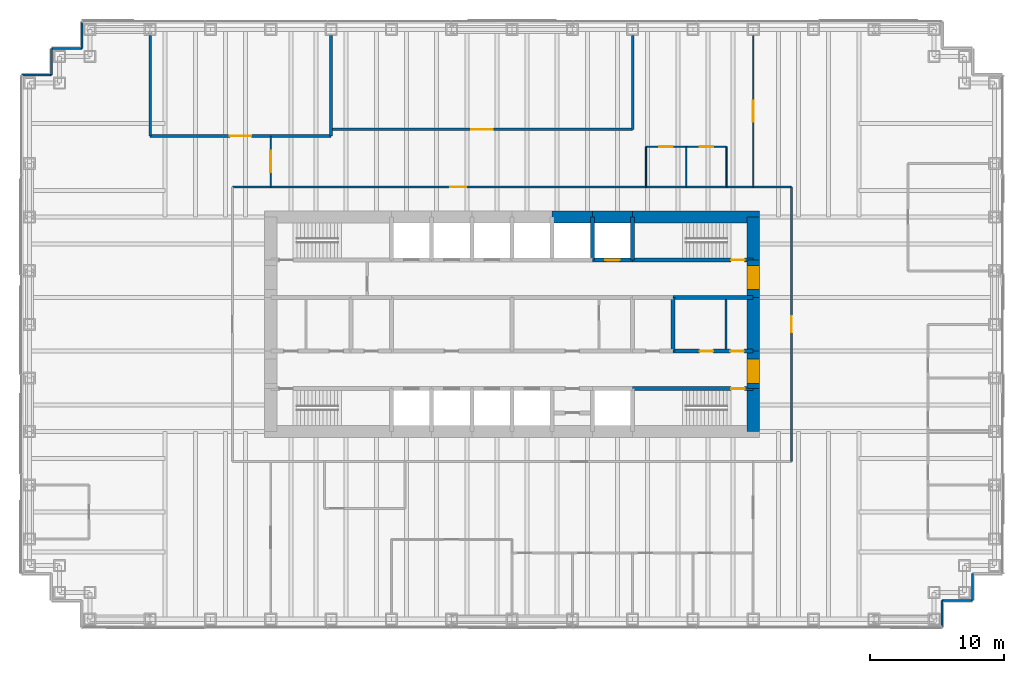
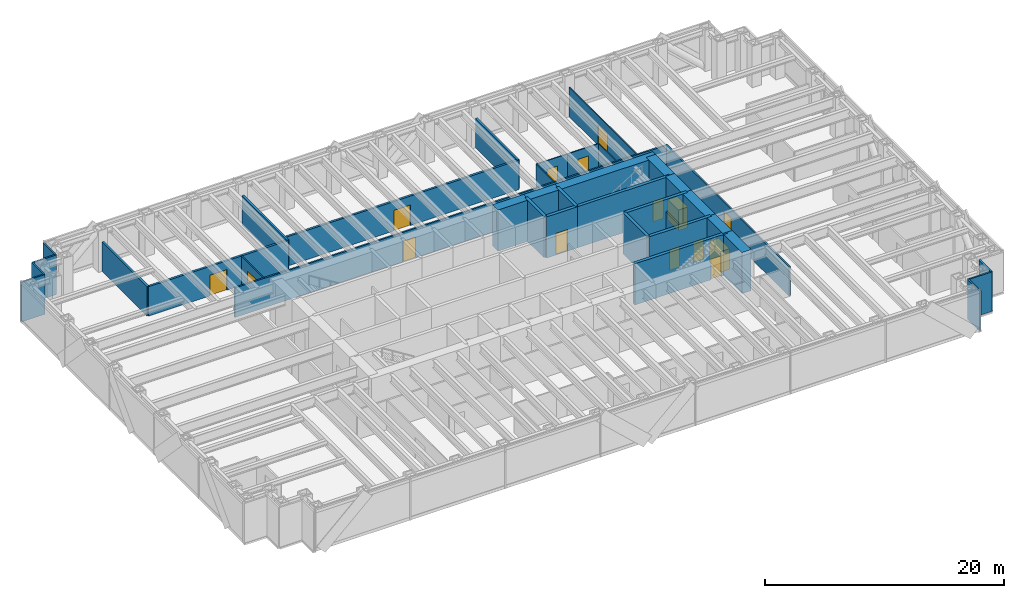
# One storey, part 13 of 15: 37 walls, 15 doors, 15 openings.
"""IFC4 building model written with IfcOpenShell, lengths in metres."""

from ifc_helpers import new_model, si_unit, direction, frame, frame_2d, origin, place, context, subcontext, project, spatial, rectangle, extrude, material, layer, layer_set, type_object, element, fill, save


model = new_model("IFC4")

# Units and contexts
model_context = context("Model", 3, precision=1e-05, world=origin(), true_north=direction((0.0, 1.0)))
body_context = subcontext(model_context, "Body", "Model", "MODEL_VIEW")
ifc_project = project(units=[si_unit("LENGTHUNIT", "METRE"), si_unit("AREAUNIT", "SQUARE_METRE"), si_unit("VOLUMEUNIT", "CUBIC_METRE"), si_unit("PLANEANGLEUNIT", "RADIAN"), si_unit("MASSUNIT", "GRAM", prefix="KILO")], contexts=[model_context])

# Site, building, storey
site_placement = place(None, origin())
site = spatial("IfcSite", under=ifc_project, at=site_placement, CompositionType="ELEMENT")
building_placement = place(site_placement, origin())
building = spatial("IfcBuilding", under=site, at=building_placement, Name="Rheinbord Bourse Tower", CompositionType="ELEMENT")
storey_placement = place(building_placement, frame((0.0, 0.0, 125.699951171875)))
storey = spatial("IfcBuildingStorey", under=building, at=storey_placement, Name="L27", CompositionType="ELEMENT", Elevation=125.699951171875)

# Wall, opening, door
ifc_material_1 = material(Name="Acoustic gypsum board partition", Category="gypsum board")
ifc_layer_1 = layer(ifc_material_1, 0.199951171875)
ifc_layer_set_1 = layer_set([ifc_layer_1], Name="ACOUSTIC PARTITION 200")
wall_type_1 = type_object("IfcWallType", Name="ACOUSTIC PARTITION 200", PredefinedType="PARTITIONING", material=ifc_layer_set_1)
wall_1_placement = place(storey_placement, frame((9.0, 38.050048828125, 0.0), z_axis=(0.0, 0.0, 1.0), x_axis=(1.0, 0.0, 0.0)))
wall_1 = element("IfcWall", 1, at=wall_1_placement, inside=storey, type_object=wall_type_1, Name="Partition L27-18", PredefinedType="PARTITIONING", context=body_context, shape_type="SweptSolid", body=[
    extrude(rectangle(XDim=13.5, YDim=0.199951171875, at=frame_2d((6.75, 0.0))), origin(), (0.0, 0.0, 1.0), 3.0),
])
opening_1_placement = place(wall_1_placement, frame((5.949951171875, 0.0, 0.0)))
opening_1 = element("IfcOpeningElement", 2, at=opening_1_placement, cuts=wall_1, Name="Opening 27D15", PredefinedType="OPENING", context=body_context, shape_type="SweptSolid", body=[
    extrude(rectangle(XDim=1.60009765625, YDim=2.10009765625, at=frame_2d((0.800048828125, 1.050048828125))), frame((0.0, 0.10986328125, 0.0), z_axis=(0.0, -1.0, 0.0), x_axis=(1.0, 0.0, 0.0)), (0.0, 0.0, 1.0), 0.219970703125),
])
ifc_material_2 = material(Name="Timber door", Category="wood")
door_type_1 = type_object("IfcDoorType", Name="DOUBLE ROOM DOOR 1600", OperationType="DOUBLE_DOOR_DOUBLE_SWING", PredefinedType="DOOR", material=ifc_material_2)
door_1_placement = place(opening_1_placement, origin())
door_1 = element("IfcDoor", 3, at=door_1_placement, inside=storey, type_object=door_type_1, Name="Index committee room door L27", OperationType="SINGLE_SWING_LEFT", OverallHeight=2.10009765625, OverallWidth=1.60009765625, PredefinedType="DOOR", context=body_context, shape_type="SweptSolid", body=[
    extrude(rectangle(XDim=1.60009765625, YDim=2.10009765625, at=frame_2d((0.800048828125, 1.050048828125))), frame((0.0, 0.02490234375, 0.0), z_axis=(0.0, -1.0, 0.0), x_axis=(1.0, 0.0, 0.0)), (0.0, 0.0, 1.0), 0.050048828125),
])
fill(opening_1, door_1)

wall_2_placement = place(storey_placement, frame((22.5, 38.550048828125, 0.0), z_axis=(0.0, 0.0, 1.0), x_axis=(1.0, 0.0, 0.0)))
wall_2 = element("IfcWall", 4, at=wall_2_placement, inside=storey, type_object=wall_type_1, Name="Partition L27-19", PredefinedType="PARTITIONING", context=body_context, shape_type="SweptSolid", body=[
    extrude(rectangle(XDim=22.5, YDim=0.199951171875, at=frame_2d((11.25, 0.0))), origin(), (0.0, 0.0, 1.0), 3.0),
])
opening_2_placement = place(wall_2_placement, frame((10.449951171875, 0.0, 0.0)))
opening_2 = element("IfcOpeningElement", 5, at=opening_2_placement, cuts=wall_2, Name="Opening 27D16", PredefinedType="OPENING", context=body_context, shape_type="SweptSolid", body=[
    extrude(rectangle(XDim=1.60009765625, YDim=2.10009765625, at=frame_2d((0.800048828125, 1.050048828125))), frame((0.0, 0.10986328125, 0.0), z_axis=(0.0, -1.0, 0.0), x_axis=(1.0, 0.0, 0.0)), (0.0, 0.0, 1.0), 0.219970703125),
])
door_2_placement = place(opening_2_placement, origin())
door_2 = element("IfcDoor", 6, at=door_2_placement, inside=storey, type_object=door_type_1, Name="Data operations room door L27", OperationType="SINGLE_SWING_LEFT", OverallHeight=2.10009765625, OverallWidth=1.60009765625, PredefinedType="DOOR", context=body_context, shape_type="SweptSolid", body=[
    extrude(rectangle(XDim=1.60009765625, YDim=2.10009765625, at=frame_2d((0.800048828125, 1.050048828125))), frame((0.0, 0.02490234375, 0.0), z_axis=(0.0, -1.0, 0.0), x_axis=(1.0, 0.0, 0.0)), (0.0, 0.0, 1.0), 0.050048828125),
])
fill(opening_2, door_2)

# Walls
for number, where, z_axis, x_axis, name in (
    (7, (9.0, 38.050048828125, 0.0), (0.0, 0.0, 1.0), (0.0, 1.0, 0.0), "Partition L27-21"),
    (8, (22.5, 38.050048828125, 0.0), (0.0, 0.0, 1.0), (0.0, 1.0, 0.0), "Partition L27-26"),
):
    element("IfcWall", number, at=place(storey_placement, frame(where, z_axis=z_axis, x_axis=x_axis)), inside=storey, type_object=wall_type_1, Name=name, PredefinedType="PARTITIONING", context=body_context, shape_type="SweptSolid", body=[
        extrude(rectangle(XDim=7.5, YDim=0.199951171875, at=frame_2d((3.75, 0.0))), origin(), (0.0, 0.0, 1.0), 3.0),
    ])
wall_3_placement = place(storey_placement, frame((45.0, 38.550048828125, 0.0), z_axis=(0.0, 0.0, 1.0), x_axis=(0.0, 1.0, 0.0)))
element("IfcWall", 9, at=wall_3_placement, inside=storey, type_object=wall_type_1, Name="Partition L27-33", PredefinedType="PARTITIONING", context=body_context, shape_type="SweptSolid", body=[
    extrude(rectangle(XDim=7.0, YDim=0.199951171875, at=frame_2d((3.5, 0.0))), origin(), (0.0, 0.0, 1.0), 3.0),
])

# Wall, opening, door
ifc_material_3 = material(Name="Concrete C50/60", Category="concrete")
ifc_layer_2 = layer(ifc_material_3, 0.300048828125)
ifc_layer_set_2 = layer_set([ifc_layer_2], Name="CORE INNER WALL 300")
wall_type_2 = type_object("IfcWallType", Name="CORE INNER WALL 300", PredefinedType="SOLIDWALL", material=ifc_layer_set_2)
wall_4_placement = place(storey_placement, frame((45.0, 19.199951171875, 0.0), z_axis=(0.0, 0.0, 1.0), x_axis=(1.0, 0.0, 0.0)))
wall_4 = element("IfcWall", 10, at=wall_4_placement, inside=storey, type_object=wall_type_2, Name="Core wall A8 L27", PredefinedType="SOLIDWALL", context=body_context, shape_type="SweptSolid", body=[
    extrude(rectangle(XDim=9.0, YDim=0.300048828125, at=frame_2d((4.5, 0.0))), origin(), (0.0, 0.0, 1.0), 4.199951171875),
])
opening_3_placement = place(wall_4_placement, frame((7.35009765625, 0.0, 0.0)))
opening_3 = element("IfcOpeningElement", 11, at=opening_3_placement, cuts=wall_4, Name="Opening 2730", PredefinedType="OPENING", context=body_context, shape_type="SweptSolid", body=[
    extrude(rectangle(XDim=1.0, YDim=2.10009765625, at=frame_2d((0.5, 1.050048828125))), frame((0.0, 0.159912109375, 0.0), z_axis=(0.0, -1.0, 0.0), x_axis=(1.0, 0.0, 0.0)), (0.0, 0.0, 1.0), 0.320068359375),
])
ifc_material_4 = material(Name="Steel door", Category="steel")
door_type_2 = type_object("IfcDoorType", Name="DOOR 1000 EI30", OperationType="SINGLE_SWING_LEFT", PredefinedType="DOOR", material=ifc_material_4)
door_3_placement = place(opening_3_placement, origin())
door_3 = element("IfcDoor", 12, at=door_3_placement, inside=storey, type_object=door_type_2, Name="Stair door ST3 L27", OperationType="SINGLE_SWING_RIGHT", OverallHeight=2.10009765625, OverallWidth=1.0, PredefinedType="DOOR", context=body_context, shape_type="SweptSolid", body=[
    extrude(rectangle(XDim=1.0, YDim=2.10009765625, at=frame_2d((0.5, 1.050048828125))), frame((0.0, 0.02490234375, 0.0), z_axis=(0.0, -1.0, 0.0), x_axis=(1.0, 0.0, 0.0)), (0.0, 0.0, 1.0), 0.050048828125),
])
fill(opening_3, door_3)

wall_5_placement = place(storey_placement, frame((42.0, 28.800048828125, 0.0), z_axis=(0.0, 0.0, 1.0), x_axis=(1.0, 0.0, 0.0)))
wall_5 = element("IfcWall", 13, at=wall_5_placement, inside=storey, type_object=wall_type_2, Name="Core wall B7 L27", PredefinedType="SOLIDWALL", context=body_context, shape_type="SweptSolid", body=[
    extrude(rectangle(XDim=3.0, YDim=0.300048828125, at=frame_2d((1.5, 0.0))), origin(), (0.0, 0.0, 1.0), 4.199951171875),
])
opening_4_placement = place(wall_5_placement, frame((0.949951171875, 0.0, 0.0)))
opening_4 = element("IfcOpeningElement", 14, at=opening_4_placement, cuts=wall_5, Name="Opening FL2", PredefinedType="OPENING", context=body_context, shape_type="SweptSolid", body=[
    extrude(rectangle(XDim=1.10009765625, YDim=2.199951171875, at=frame_2d((0.550048828125, 1.10009765625))), frame((0.0, 0.159912109375, 0.0), z_axis=(0.0, -1.0, 0.0), x_axis=(1.0, 0.0, 0.0)), (0.0, 0.0, 1.0), 0.320068359375),
])
ifc_material_5 = material(Name="Steel landing door", Category="steel")
door_type_3 = type_object("IfcDoorType", Name="LIFT LANDING DOOR 1100", OperationType="DOUBLE_DOOR_SLIDING", PredefinedType="USERDEFINED", material=ifc_material_5)
door_4_placement = place(opening_4_placement, origin())
door_4 = element("IfcDoor", 15, at=door_4_placement, inside=storey, type_object=door_type_3, Name="Lift landing door FL2 L27", ObjectType="LIFT LANDING DOOR", OperationType="DOUBLE_DOOR_SLIDING", OverallHeight=2.199951171875, OverallWidth=1.10009765625, PredefinedType="USERDEFINED", context=body_context, shape_type="SweptSolid", body=[
    extrude(rectangle(XDim=1.10009765625, YDim=2.199951171875, at=frame_2d((0.550048828125, 1.10009765625))), frame((0.0, 0.02490234375, 0.0), z_axis=(0.0, -1.0, 0.0), x_axis=(1.0, 0.0, 0.0)), (0.0, 0.0, 1.0), 0.050048828125),
])
fill(opening_4, door_4)

wall_6_placement = place(storey_placement, frame((45.0, 28.800048828125, 0.0), z_axis=(0.0, 0.0, 1.0), x_axis=(1.0, 0.0, 0.0)))
wall_6 = element("IfcWall", 16, at=wall_6_placement, inside=storey, type_object=wall_type_2, Name="Core wall B8 L27", PredefinedType="SOLIDWALL", context=body_context, shape_type="SweptSolid", body=[
    extrude(rectangle(XDim=9.0, YDim=0.300048828125, at=frame_2d((4.5, 0.0))), origin(), (0.0, 0.0, 1.0), 4.199951171875),
])
opening_5_placement = place(wall_6_placement, frame((7.35009765625, 0.0, 0.0)))
opening_5 = element("IfcOpeningElement", 17, at=opening_5_placement, cuts=wall_6, Name="Opening 2740", PredefinedType="OPENING", context=body_context, shape_type="SweptSolid", body=[
    extrude(rectangle(XDim=1.0, YDim=2.10009765625, at=frame_2d((0.5, 1.050048828125))), frame((0.0, 0.159912109375, 0.0), z_axis=(0.0, -1.0, 0.0), x_axis=(1.0, 0.0, 0.0)), (0.0, 0.0, 1.0), 0.320068359375),
])
door_5_placement = place(opening_5_placement, origin())
door_5 = element("IfcDoor", 18, at=door_5_placement, inside=storey, type_object=door_type_2, Name="Stair door ST4 L27", OperationType="SINGLE_SWING_RIGHT", OverallHeight=2.10009765625, OverallWidth=1.0, PredefinedType="DOOR", context=body_context, shape_type="SweptSolid", body=[
    extrude(rectangle(XDim=1.0, YDim=2.10009765625, at=frame_2d((0.5, 1.050048828125))), frame((0.0, 0.02490234375, 0.0), z_axis=(0.0, -1.0, 0.0), x_axis=(1.0, 0.0, 0.0)), (0.0, 0.0, 1.0), 0.050048828125),
])
fill(opening_5, door_5)

# Wall, openings, doors
wall_7_placement = place(storey_placement, frame((48.0, 22.0, 0.0), z_axis=(0.0, 0.0, 1.0), x_axis=(1.0, 0.0, 0.0)))
wall_7 = element("IfcWall", 19, at=wall_7_placement, inside=storey, type_object=wall_type_2, Name="Core wall C6 L27", PredefinedType="SOLIDWALL", context=body_context, shape_type="SweptSolid", body=[
    extrude(rectangle(XDim=6.0, YDim=0.300048828125, at=frame_2d((3.0, 0.0))), origin(), (0.0, 0.0, 1.0), 4.199951171875),
])
opening_6_placement = place(wall_7_placement, frame((2.0, 0.0, 0.0)))
opening_6 = element("IfcOpeningElement", 20, at=opening_6_placement, cuts=wall_7, Name="Opening 27R6", PredefinedType="OPENING", context=body_context, shape_type="SweptSolid", body=[
    extrude(rectangle(XDim=1.0, YDim=2.10009765625, at=frame_2d((0.5, 1.050048828125))), frame((0.0, 0.159912109375, 0.0), z_axis=(0.0, -1.0, 0.0), x_axis=(1.0, 0.0, 0.0)), (0.0, 0.0, 1.0), 0.320068359375),
])
opening_7_placement = place(wall_7_placement, frame((4.300048828125, 0.0, 0.0)))
opening_7 = element("IfcOpeningElement", 21, at=opening_7_placement, cuts=wall_7, Name="Opening 27R10", PredefinedType="OPENING", context=body_context, shape_type="SweptSolid", body=[
    extrude(rectangle(XDim=1.0, YDim=2.10009765625, at=frame_2d((0.5, 1.050048828125))), frame((0.0, 0.159912109375, 0.0), z_axis=(0.0, -1.0, 0.0), x_axis=(1.0, 0.0, 0.0)), (0.0, 0.0, 1.0), 0.320068359375),
])
door_6_placement = place(opening_7_placement, origin())
door_6 = element("IfcDoor", 22, at=door_6_placement, inside=storey, type_object=door_type_2, Name="Cleaner's store door L27", OperationType="SINGLE_SWING_RIGHT", OverallHeight=2.10009765625, OverallWidth=1.0, PredefinedType="DOOR", context=body_context, shape_type="SweptSolid", body=[
    extrude(rectangle(XDim=1.0, YDim=2.10009765625, at=frame_2d((0.5, 1.050048828125))), frame((0.0, 0.02490234375, 0.0), z_axis=(0.0, -1.0, 0.0), x_axis=(1.0, 0.0, 0.0)), (0.0, 0.0, 1.0), 0.050048828125),
])
fill(opening_7, door_6)
ifc_material_6 = material(Name="Timber door", Category="wood")
door_type_4 = type_object("IfcDoorType", Name="DOOR 1000 WC", OperationType="SINGLE_SWING_LEFT", PredefinedType="DOOR", material=ifc_material_6)
door_7_placement = place(opening_6_placement, origin())
door_7 = element("IfcDoor", 23, at=door_7_placement, inside=storey, type_object=door_type_4, Name="WC women door L27", OperationType="SINGLE_SWING_LEFT", OverallHeight=2.10009765625, OverallWidth=1.0, PredefinedType="DOOR", context=body_context, shape_type="SweptSolid", body=[
    extrude(rectangle(XDim=1.0, YDim=2.10009765625, at=frame_2d((0.5, 1.050048828125))), frame((0.0, 0.02490234375, 0.0), z_axis=(0.0, -1.0, 0.0), x_axis=(1.0, 0.0, 0.0)), (0.0, 0.0, 1.0), 0.050048828125),
])
fill(opening_6, door_7)

# Walls
wall_8_placement = place(storey_placement, frame((48.0, 26.0, 0.0), z_axis=(0.0, 0.0, 1.0), x_axis=(1.0, 0.0, 0.0)))
element("IfcWall", 24, at=wall_8_placement, inside=storey, type_object=wall_type_2, Name="Core wall D6 L27", PredefinedType="SOLIDWALL", context=body_context, shape_type="SweptSolid", body=[
    extrude(rectangle(XDim=6.0, YDim=0.300048828125, at=frame_2d((3.0, 0.0))), origin(), (0.0, 0.0, 1.0), 4.199951171875),
])
for number, where, z_axis, x_axis, name in (
    (25, (42.0, 28.800048828125, 0.0), (0.0, 0.0, 1.0), (0.0, 1.0, 0.0), "Core wall NX42 L27"),
    (26, (45.0, 28.800048828125, 0.0), (0.0, 0.0, 1.0), (0.0, 1.0, 0.0), "Core wall NX45 L27"),
):
    element("IfcWall", number, at=place(storey_placement, frame(where, z_axis=z_axis, x_axis=x_axis)), inside=storey, type_object=wall_type_2, Name=name, PredefinedType="SOLIDWALL", context=body_context, shape_type="SweptSolid", body=[
        extrude(rectangle(XDim=3.199951171875, YDim=0.300048828125, at=frame_2d((1.60009765625, 0.0))), origin(), (0.0, 0.0, 1.0), 4.199951171875),
    ])
wall_9_placement = place(storey_placement, frame((48.0, 22.0, 0.0), z_axis=(0.0, 0.0, 1.0), x_axis=(0.0, 1.0, 0.0)))
element("IfcWall", 27, at=wall_9_placement, inside=storey, type_object=wall_type_2, Name="Core wall MX48 L27", PredefinedType="SOLIDWALL", context=body_context, shape_type="SweptSolid", body=[
    extrude(rectangle(XDim=4.0, YDim=0.300048828125, at=frame_2d((2.0, 0.0))), origin(), (0.0, 0.0, 1.0), 4.199951171875),
])
ifc_material_7 = material(Name="Gypsum board fire partition", Category="gypsum board")
ifc_layer_3 = layer(ifc_material_7, 0.14990234375)
ifc_layer_set_3 = layer_set([ifc_layer_3], Name="CORE PARTITION 150 EI30")
wall_type_3 = type_object("IfcWallType", Name="CORE PARTITION 150 EI30", PredefinedType="PARTITIONING", material=ifc_layer_set_3)
wall_10_placement = place(storey_placement, frame((51.97509765625, 22.14990234375, 0.0), z_axis=(0.0, 0.0, 1.0), x_axis=(0.0, 1.0, 0.0)))
element("IfcWall", 28, at=wall_10_placement, inside=storey, type_object=wall_type_3, Name="Core partition L27-3", PredefinedType="PARTITIONING", context=body_context, shape_type="SweptSolid", body=[
    extrude(rectangle(XDim=3.7001953125, YDim=0.14990234375, at=frame_2d((1.85009765625, 0.0))), origin(), (0.0, 0.0, 1.0), 3.0),
])
ifc_material_8 = material(Name="Concrete C50/60", Category="concrete")
ifc_layer_4 = layer(ifc_material_8, 0.89990234375)
ifc_layer_set_4 = layer_set([ifc_layer_4], Name="CORE WALL 900")
wall_type_4 = type_object("IfcWallType", Name="CORE WALL 900", PredefinedType="SHEAR", material=ifc_layer_set_4)
wall_11_placement = place(storey_placement, frame((54.449951171875, 32.0, 0.0), z_axis=(0.0, 0.0, 1.0), x_axis=(-1.0, 0.0, 0.0)))
element("IfcWall", 29, at=wall_11_placement, inside=storey, type_object=wall_type_4, Name="Core wall N1 L27", PredefinedType="SHEAR", context=body_context, shape_type="SweptSolid", body=[
    extrude(rectangle(XDim=9.449951171875, YDim=0.89990234375, at=frame_2d((4.72509765625, 0.0))), origin(), (0.0, 0.0, 1.0), 4.199951171875),
])
for number, where, z_axis, x_axis, name in (
    (30, (45.0, 32.0, 0.0), (0.0, 0.0, 1.0), (-1.0, 0.0, 0.0), "Core wall N2 L27"),
    (31, (42.0, 32.0, 0.0), (0.0, 0.0, 1.0), (-1.0, 0.0, 0.0), "Core wall N3 L27"),
):
    element("IfcWall", number, at=place(storey_placement, frame(where, z_axis=z_axis, x_axis=x_axis)), inside=storey, type_object=wall_type_4, Name=name, PredefinedType="SHEAR", context=body_context, shape_type="SweptSolid", body=[
        extrude(rectangle(XDim=3.0, YDim=0.89990234375, at=frame_2d((1.5, 0.0))), origin(), (0.0, 0.0, 1.0), 4.199951171875),
    ])
wall_12_placement = place(storey_placement, frame((54.0, 16.0, 0.0), z_axis=(0.0, 0.0, 1.0), x_axis=(0.0, 1.0, 0.0)))
element("IfcWall", 32, at=wall_12_placement, inside=storey, type_object=wall_type_4, Name="Core wall E1 L27", PredefinedType="SHEAR", context=body_context, shape_type="SweptSolid", body=[
    extrude(rectangle(XDim=3.199951171875, YDim=0.89990234375, at=frame_2d((1.60009765625, 0.0))), origin(), (0.0, 0.0, 1.0), 4.199951171875),
])

# Wall, opening, door
wall_13_placement = place(storey_placement, frame((54.0, 19.199951171875, 0.0), z_axis=(0.0, 0.0, 1.0), x_axis=(0.0, 1.0, 0.0)))
wall_13 = element("IfcWall", 33, at=wall_13_placement, inside=storey, type_object=wall_type_4, Name="Core wall E2 L27", PredefinedType="SHEAR", context=body_context, shape_type="SweptSolid", body=[
    extrude(rectangle(XDim=2.800048828125, YDim=0.89990234375, at=frame_2d((1.39990234375, 0.0))), origin(), (0.0, 0.0, 1.0), 4.199951171875),
])
opening_8_placement = place(wall_13_placement, frame((0.39990234375, 0.0, 0.0)))
opening_8 = element("IfcOpeningElement", 34, at=opening_8_placement, cuts=wall_13, Name="Opening 27L3", PredefinedType="OPENING", context=body_context, shape_type="SweptSolid", body=[
    extrude(rectangle(XDim=1.800048828125, YDim=2.10009765625, at=frame_2d((0.89990234375, 1.050048828125))), frame((0.0, 0.4599609375, 0.0), z_axis=(0.0, -1.0, 0.0), x_axis=(1.0, 0.0, 0.0)), (0.0, 0.0, 1.0), 0.919921875),
])
ifc_material_9 = material(Name="Steel door", Category="steel")
door_type_5 = type_object("IfcDoorType", Name="DOOR 1800 EI30 DOUBLE", OperationType="DOUBLE_DOOR_DOUBLE_SWING", PredefinedType="DOOR", material=ifc_material_9)
door_8_placement = place(opening_8_placement, origin())
door_8 = element("IfcDoor", 35, at=door_8_placement, inside=storey, type_object=door_type_5, Name="Lobby door 3 L27", OperationType="SINGLE_SWING_LEFT", OverallHeight=2.10009765625, OverallWidth=1.800048828125, PredefinedType="DOOR", context=body_context, shape_type="SweptSolid", body=[
    extrude(rectangle(XDim=1.800048828125, YDim=2.10009765625, at=frame_2d((0.89990234375, 1.050048828125))), frame((0.0, 0.44970703125, 0.0), z_axis=(0.0, -1.0, 0.0), x_axis=(1.0, 0.0, 0.0)), (0.0, 0.0, 1.0), 0.8994140625),
])
fill(opening_8, door_8)

# Wall
wall_14_placement = place(storey_placement, frame((54.0, 22.0, 0.0), z_axis=(0.0, 0.0, 1.0), x_axis=(0.0, 1.0, 0.0)))
element("IfcWall", 36, at=wall_14_placement, inside=storey, type_object=wall_type_4, Name="Core wall E3 L27", PredefinedType="SHEAR", context=body_context, shape_type="SweptSolid", body=[
    extrude(rectangle(XDim=4.0, YDim=0.89990234375, at=frame_2d((2.0, 0.0))), origin(), (0.0, 0.0, 1.0), 4.199951171875),
])

# Wall, opening, door
wall_15_placement = place(storey_placement, frame((54.0, 26.0, 0.0), z_axis=(0.0, 0.0, 1.0), x_axis=(0.0, 1.0, 0.0)))
wall_15 = element("IfcWall", 37, at=wall_15_placement, inside=storey, type_object=wall_type_4, Name="Core wall E4 L27", PredefinedType="SHEAR", context=body_context, shape_type="SweptSolid", body=[
    extrude(rectangle(XDim=2.800048828125, YDim=0.89990234375, at=frame_2d((1.39990234375, 0.0))), origin(), (0.0, 0.0, 1.0), 4.199951171875),
])
opening_9_placement = place(wall_15_placement, frame((0.60009765625, 0.0, 0.0)))
opening_9 = element("IfcOpeningElement", 38, at=opening_9_placement, cuts=wall_15, Name="Opening 27L4", PredefinedType="OPENING", context=body_context, shape_type="SweptSolid", body=[
    extrude(rectangle(XDim=1.800048828125, YDim=2.10009765625, at=frame_2d((0.89990234375, 1.050048828125))), frame((0.0, 0.4599609375, 0.0), z_axis=(0.0, -1.0, 0.0), x_axis=(1.0, 0.0, 0.0)), (0.0, 0.0, 1.0), 0.919921875),
])
door_9_placement = place(opening_9_placement, origin())
door_9 = element("IfcDoor", 39, at=door_9_placement, inside=storey, type_object=door_type_5, Name="Lobby door 4 L27", OperationType="SINGLE_SWING_LEFT", OverallHeight=2.10009765625, OverallWidth=1.800048828125, PredefinedType="DOOR", context=body_context, shape_type="SweptSolid", body=[
    extrude(rectangle(XDim=1.800048828125, YDim=2.10009765625, at=frame_2d((0.89990234375, 1.050048828125))), frame((0.0, 0.44970703125, 0.0), z_axis=(0.0, -1.0, 0.0), x_axis=(1.0, 0.0, 0.0)), (0.0, 0.0, 1.0), 0.8994140625),
])
fill(opening_9, door_9)

# Walls
wall_16_placement = place(storey_placement, frame((54.0, 28.800048828125, 0.0), z_axis=(0.0, 0.0, 1.0), x_axis=(0.0, 1.0, 0.0)))
element("IfcWall", 40, at=wall_16_placement, inside=storey, type_object=wall_type_4, Name="Core wall E5 L27", PredefinedType="SHEAR", context=body_context, shape_type="SweptSolid", body=[
    extrude(rectangle(XDim=3.199951171875, YDim=0.89990234375, at=frame_2d((1.60009765625, 0.0))), origin(), (0.0, 0.0, 1.0), 4.199951171875),
])
ifc_material_10 = material(Name="Black metal rainscreen panel", Category="aluminium")
ifc_layer_5 = layer(ifc_material_10, 0.14990234375)
ifc_layer_set_5 = layer_set([ifc_layer_5], Name="CORNER PIER CLADDING 150")
wall_type_5 = type_object("IfcWallType", Name="CORNER PIER CLADDING 150", PredefinedType="ELEMENTEDWALL", material=ifc_layer_set_5)
wall_17_placement = place(storey_placement, frame((68.10009765625, 1.39990234375, 0.0), z_axis=(0.0, 0.0, 1.0), x_axis=(0.0, 1.0, 0.0)))
element("IfcWall", 41, at=wall_17_placement, inside=storey, type_object=wall_type_5, Name="Corner pier cladding L27 2", PredefinedType="ELEMENTEDWALL", context=body_context, shape_type="SweptSolid", body=[
    extrude(rectangle(XDim=2.0, YDim=0.14990234375, at=frame_2d((1.0, 0.0))), origin(), (0.0, 0.0, 1.0), 4.0400390625),
])
wall_18_placement = place(storey_placement, frame((68.10009765625, 3.39990234375, 0.0), z_axis=(0.0, 0.0, 1.0), x_axis=(1.0, 0.0, 0.0)))
element("IfcWall", 42, at=wall_18_placement, inside=storey, type_object=wall_type_5, Name="Corner pier cladding L27 3", PredefinedType="ELEMENTEDWALL", context=body_context, shape_type="SweptSolid", body=[
    extrude(rectangle(XDim=2.25, YDim=0.14990234375, at=frame_2d((1.125, 0.0))), origin(), (0.0, 0.0, 1.0), 4.0400390625),
])
for number, where, z_axis, x_axis, name in (
    (43, (70.35009765625, 3.39990234375, 0.0), (0.0, 0.0, 1.0), (0.0, 1.0, 0.0), "Corner pier cladding L27 4"),
    (44, (3.89990234375, 46.60009765625, 0.0), (0.0, 0.0, 1.0), (0.0, -1.0, 0.0), "Corner pier cladding L27 12"),
):
    element("IfcWall", number, at=place(storey_placement, frame(where, z_axis=z_axis, x_axis=x_axis)), inside=storey, type_object=wall_type_5, Name=name, PredefinedType="ELEMENTEDWALL", context=body_context, shape_type="SweptSolid", body=[
        extrude(rectangle(XDim=2.0, YDim=0.14990234375, at=frame_2d((1.0, 0.0))), origin(), (0.0, 0.0, 1.0), 4.0400390625),
    ])
wall_19_placement = place(storey_placement, frame((3.89990234375, 44.60009765625, 0.0), z_axis=(0.0, 0.0, 1.0), x_axis=(-1.0, 0.0, 0.0)))
element("IfcWall", 45, at=wall_19_placement, inside=storey, type_object=wall_type_5, Name="Corner pier cladding L27 13", PredefinedType="ELEMENTEDWALL", context=body_context, shape_type="SweptSolid", body=[
    extrude(rectangle(XDim=2.25, YDim=0.14990234375, at=frame_2d((1.125, 0.0))), origin(), (0.0, 0.0, 1.0), 4.0400390625),
])
wall_20_placement = place(storey_placement, frame((1.64990234375, 44.60009765625, 0.0), z_axis=(0.0, 0.0, 1.0), x_axis=(0.0, -1.0, 0.0)))
element("IfcWall", 46, at=wall_20_placement, inside=storey, type_object=wall_type_5, Name="Corner pier cladding L27 14", PredefinedType="ELEMENTEDWALL", context=body_context, shape_type="SweptSolid", body=[
    extrude(rectangle(XDim=2.0, YDim=0.14990234375, at=frame_2d((1.0, 0.0))), origin(), (0.0, 0.0, 1.0), 4.0400390625),
])
wall_21_placement = place(storey_placement, frame((1.64990234375, 42.60009765625, 0.0), z_axis=(0.0, 0.0, 1.0), x_axis=(-1.0, 0.0, 0.0)))
element("IfcWall", 47, at=wall_21_placement, inside=storey, type_object=wall_type_5, Name="Corner pier cladding L27 15", PredefinedType="ELEMENTEDWALL", context=body_context, shape_type="SweptSolid", body=[
    extrude(rectangle(XDim=2.25, YDim=0.14990234375, at=frame_2d((1.125, 0.0))), origin(), (0.0, 0.0, 1.0), 4.0400390625),
])

# Wall, opening, door
ifc_material_11 = material(Name="Gypsum board corridor partition", Category="gypsum board")
ifc_layer_6 = layer(ifc_material_11, 0.14990234375)
ifc_layer_set_6 = layer_set([ifc_layer_6], Name="CORRIDOR PARTITION 150 EI30")
wall_type_6 = type_object("IfcWallType", Name="CORRIDOR PARTITION 150 EI30", PredefinedType="PARTITIONING", material=ifc_layer_set_6)
wall_22_placement = place(storey_placement, frame((15.14990234375, 34.25, 0.0), z_axis=(0.0, 0.0, 1.0), x_axis=(1.0, 0.0, 0.0)))
wall_22 = element("IfcWall", 48, at=wall_22_placement, inside=storey, type_object=wall_type_6, Name="Partition L27-15", PredefinedType="PARTITIONING", context=body_context, shape_type="SweptSolid", body=[
    extrude(rectangle(XDim=41.7001953125, YDim=0.14990234375, at=frame_2d((20.85009765625, 0.0))), origin(), (0.0, 0.0, 1.0), 3.0),
])
opening_10_placement = place(wall_22_placement, frame((16.22509765625, 0.0, 0.0)))
opening_10 = element("IfcOpeningElement", 49, at=opening_10_placement, cuts=wall_22, Name="Opening 27D24", PredefinedType="OPENING", context=body_context, shape_type="SweptSolid", body=[
    extrude(rectangle(XDim=1.199951171875, YDim=2.10009765625, at=frame_2d((0.60009765625, 1.050048828125))), frame((0.0, 0.0849609375, 0.0), z_axis=(0.0, -1.0, 0.0), x_axis=(1.0, 0.0, 0.0)), (0.0, 0.0, 1.0), 0.169921875),
])
ifc_material_12 = material(Name="Timber fire door", Category="wood")
door_type_6 = type_object("IfcDoorType", Name="SUITE ENTRANCE DOOR 1200 EI30", OperationType="SINGLE_SWING_LEFT", PredefinedType="DOOR", material=ifc_material_12)
door_10_placement = place(opening_10_placement, origin())
door_10 = element("IfcDoor", 50, at=door_10_placement, inside=storey, type_object=door_type_6, Name="Suite entrance 4 door L27", OperationType="SINGLE_SWING_LEFT", OverallHeight=2.10009765625, OverallWidth=1.199951171875, PredefinedType="DOOR", context=body_context, shape_type="SweptSolid", body=[
    extrude(rectangle(XDim=1.199951171875, YDim=2.10009765625, at=frame_2d((0.60009765625, 1.050048828125))), frame((0.0, 0.02490234375, 0.0), z_axis=(0.0, -1.0, 0.0), x_axis=(1.0, 0.0, 0.0)), (0.0, 0.0, 1.0), 0.050048828125),
])
fill(opening_10, door_10)

wall_23_placement = place(storey_placement, frame((56.85009765625, 13.75, 0.0), z_axis=(0.0, 0.0, 1.0), x_axis=(0.0, 1.0, 0.0)))
wall_23 = element("IfcWall", 51, at=wall_23_placement, inside=storey, type_object=wall_type_6, Name="Partition L27-41", PredefinedType="PARTITIONING", context=body_context, shape_type="SweptSolid", body=[
    extrude(rectangle(XDim=20.5, YDim=0.14990234375, at=frame_2d((10.25, 0.0))), origin(), (0.0, 0.0, 1.0), 3.0),
])
opening_11_placement = place(wall_23_placement, frame((9.64990234375, 0.0, 0.0)))
opening_11 = element("IfcOpeningElement", 52, at=opening_11_placement, cuts=wall_23, Name="Opening 27D22", PredefinedType="OPENING", context=body_context, shape_type="SweptSolid", body=[
    extrude(rectangle(XDim=1.199951171875, YDim=2.10009765625, at=frame_2d((0.60009765625, 1.050048828125))), frame((0.0, 0.0849609375, 0.0), z_axis=(0.0, -1.0, 0.0), x_axis=(1.0, 0.0, 0.0)), (0.0, 0.0, 1.0), 0.169921875),
])
door_11_placement = place(opening_11_placement, origin())
door_11 = element("IfcDoor", 53, at=door_11_placement, inside=storey, type_object=door_type_6, Name="Suite entrance 2 door L27", OperationType="SINGLE_SWING_LEFT", OverallHeight=2.10009765625, OverallWidth=1.199951171875, PredefinedType="DOOR", context=body_context, shape_type="SweptSolid", body=[
    extrude(rectangle(XDim=1.199951171875, YDim=2.10009765625, at=frame_2d((0.60009765625, 1.050048828125))), frame((0.0, 0.02490234375, 0.0), z_axis=(0.0, -1.0, 0.0), x_axis=(1.0, 0.0, 0.0)), (0.0, 0.0, 1.0), 0.050048828125),
])
fill(opening_11, door_11)

# Wall, openings, doors
ifc_material_13 = material(Name="Toughened laminated glass partition", Category="glass")
ifc_layer_7 = layer(ifc_material_13, 0.10009765625)
ifc_layer_set_7 = layer_set([ifc_layer_7], Name="GLAZED PARTITION 100")
wall_type_7 = type_object("IfcWallType", Name="GLAZED PARTITION 100", PredefinedType="PARTITIONING", material=ifc_layer_set_7)
wall_24_placement = place(storey_placement, frame((46.0, 37.25, 0.0), z_axis=(0.0, 0.0, 1.0), x_axis=(1.0, 0.0, 0.0)))
wall_24 = element("IfcWall", 54, at=wall_24_placement, inside=storey, type_object=wall_type_7, Name="Partition L27-17", PredefinedType="PARTITIONING", context=body_context, shape_type="SweptSolid", body=[
    extrude(rectangle(XDim=6.0, YDim=0.10009765625, at=frame_2d((3.0, 0.0))), origin(), (0.0, 0.0, 1.0), 3.0),
])
opening_12_placement = place(wall_24_placement, frame((1.0, 0.0, 0.0)))
opening_12 = element("IfcOpeningElement", 55, at=opening_12_placement, cuts=wall_24, Name="Opening 27D13", PredefinedType="OPENING", context=body_context, shape_type="SweptSolid", body=[
    extrude(rectangle(XDim=1.0, YDim=2.10009765625, at=frame_2d((0.5, 1.050048828125))), frame((0.0, 0.06005859375, 0.0), z_axis=(0.0, -1.0, 0.0), x_axis=(1.0, 0.0, 0.0)), (0.0, 0.0, 1.0), 0.1201171875),
])
opening_13_placement = place(wall_24_placement, frame((4.0, 0.0, 0.0)))
opening_13 = element("IfcOpeningElement", 56, at=opening_13_placement, cuts=wall_24, Name="Opening 27D14", PredefinedType="OPENING", context=body_context, shape_type="SweptSolid", body=[
    extrude(rectangle(XDim=1.0, YDim=2.10009765625, at=frame_2d((0.5, 1.050048828125))), frame((0.0, 0.06005859375, 0.0), z_axis=(0.0, -1.0, 0.0), x_axis=(1.0, 0.0, 0.0)), (0.0, 0.0, 1.0), 0.1201171875),
])
ifc_material_14 = material(Name="Timber door", Category="wood")
door_type_7 = type_object("IfcDoorType", Name="ROOM DOOR 1000", OperationType="SINGLE_SWING_LEFT", PredefinedType="DOOR", material=ifc_material_14)
door_12_placement = place(opening_12_placement, origin())
door_12 = element("IfcDoor", 57, at=door_12_placement, inside=storey, type_object=door_type_7, Name="Quiet room door L27", OperationType="SINGLE_SWING_LEFT", OverallHeight=2.10009765625, OverallWidth=1.0, PredefinedType="DOOR", context=body_context, shape_type="SweptSolid", body=[
    extrude(rectangle(XDim=1.0, YDim=2.10009765625, at=frame_2d((0.5, 1.050048828125))), frame((0.0, 0.02490234375, 0.0), z_axis=(0.0, -1.0, 0.0), x_axis=(1.0, 0.0, 0.0)), (0.0, 0.0, 1.0), 0.050048828125),
])
fill(opening_12, door_12)
door_13_placement = place(opening_13_placement, origin())
door_13 = element("IfcDoor", 58, at=door_13_placement, inside=storey, type_object=door_type_7, Name="Quiet room door L27", OperationType="SINGLE_SWING_RIGHT", OverallHeight=2.10009765625, OverallWidth=1.0, PredefinedType="DOOR", context=body_context, shape_type="SweptSolid", body=[
    extrude(rectangle(XDim=1.0, YDim=2.10009765625, at=frame_2d((0.5, 1.050048828125))), frame((0.0, 0.02490234375, 0.0), z_axis=(0.0, -1.0, 0.0), x_axis=(1.0, 0.0, 0.0)), (0.0, 0.0, 1.0), 0.050048828125),
])
fill(opening_13, door_13)

# Wall, opening, door
wall_25_placement = place(storey_placement, frame((18.0, 34.25, 0.0), z_axis=(0.0, 0.0, 1.0), x_axis=(0.0, 1.0, 0.0)))
wall_25 = element("IfcWall", 59, at=wall_25_placement, inside=storey, type_object=wall_type_7, Name="Partition L27-24", PredefinedType="PARTITIONING", context=body_context, shape_type="SweptSolid", body=[
    extrude(rectangle(XDim=3.800048828125, YDim=0.10009765625, at=frame_2d((1.89990234375, 0.0))), origin(), (0.0, 0.0, 1.0), 3.0),
])
opening_14_placement = place(wall_25_placement, frame((1.10009765625, 0.0, 0.0)))
opening_14 = element("IfcOpeningElement", 60, at=opening_14_placement, cuts=wall_25, Name="Opening 27D18", PredefinedType="OPENING", context=body_context, shape_type="SweptSolid", body=[
    extrude(rectangle(XDim=1.60009765625, YDim=2.10009765625, at=frame_2d((0.800048828125, 1.050048828125))), frame((0.0, 0.06005859375, 0.0), z_axis=(0.0, -1.0, 0.0), x_axis=(1.0, 0.0, 0.0)), (0.0, 0.0, 1.0), 0.1201171875),
])
door_14_placement = place(opening_14_placement, origin())
door_14 = element("IfcDoor", 61, at=door_14_placement, inside=storey, type_object=door_type_1, Name="Open area door L27", OperationType="SINGLE_SWING_LEFT", OverallHeight=2.10009765625, OverallWidth=1.60009765625, PredefinedType="DOOR", context=body_context, shape_type="SweptSolid", body=[
    extrude(rectangle(XDim=1.60009765625, YDim=2.10009765625, at=frame_2d((0.800048828125, 1.050048828125))), frame((0.0, 0.02490234375, 0.0), z_axis=(0.0, -1.0, 0.0), x_axis=(1.0, 0.0, 0.0)), (0.0, 0.0, 1.0), 0.050048828125),
])
fill(opening_14, door_14)

# Walls
for number, where, z_axis, x_axis, name in (
    (62, (46.0, 34.25, 0.0), (0.0, 0.0, 1.0), (0.0, 1.0, 0.0), "Partition L27-34"),
    (63, (49.0, 34.25, 0.0), (0.0, 0.0, 1.0), (0.0, 1.0, 0.0), "Partition L27-35"),
    (64, (52.0, 34.25, 0.0), (0.0, 0.0, 1.0), (0.0, 1.0, 0.0), "Partition L27-37"),
):
    element("IfcWall", number, at=place(storey_placement, frame(where, z_axis=z_axis, x_axis=x_axis)), inside=storey, type_object=wall_type_7, Name=name, PredefinedType="PARTITIONING", context=body_context, shape_type="SweptSolid", body=[
        extrude(rectangle(XDim=3.0, YDim=0.10009765625, at=frame_2d((1.5, 0.0))), origin(), (0.0, 0.0, 1.0), 3.0),
    ])

# Wall, opening, door
wall_26_placement = place(storey_placement, frame((54.0, 34.25, 0.0), z_axis=(0.0, 0.0, 1.0), x_axis=(0.0, 1.0, 0.0)))
wall_26 = element("IfcWall", 65, at=wall_26_placement, inside=storey, type_object=wall_type_7, Name="Partition L27-40", PredefinedType="PARTITIONING", context=body_context, shape_type="SweptSolid", body=[
    extrude(rectangle(XDim=11.300048828125, YDim=0.10009765625, at=frame_2d((5.64990234375, 0.0))), origin(), (0.0, 0.0, 1.0), 3.0),
])
opening_15_placement = place(wall_26_placement, frame((4.85009765625, 0.0, 0.0)))
opening_15 = element("IfcOpeningElement", 66, at=opening_15_placement, cuts=wall_26, Name="Opening 27D20", PredefinedType="OPENING", context=body_context, shape_type="SweptSolid", body=[
    extrude(rectangle(XDim=1.60009765625, YDim=2.10009765625, at=frame_2d((0.800048828125, 1.050048828125))), frame((0.0, 0.06005859375, 0.0), z_axis=(0.0, -1.0, 0.0), x_axis=(1.0, 0.0, 0.0)), (0.0, 0.0, 1.0), 0.1201171875),
])
door_15_placement = place(opening_15_placement, origin())
door_15 = element("IfcDoor", 67, at=door_15_placement, inside=storey, type_object=door_type_1, Name="Open area door L27", OperationType="SINGLE_SWING_LEFT", OverallHeight=2.10009765625, OverallWidth=1.60009765625, PredefinedType="DOOR", context=body_context, shape_type="SweptSolid", body=[
    extrude(rectangle(XDim=1.60009765625, YDim=2.10009765625, at=frame_2d((0.800048828125, 1.050048828125))), frame((0.0, 0.02490234375, 0.0), z_axis=(0.0, -1.0, 0.0), x_axis=(1.0, 0.0, 0.0)), (0.0, 0.0, 1.0), 0.050048828125),
])
fill(opening_15, door_15)

save(model, "model.ifc")
